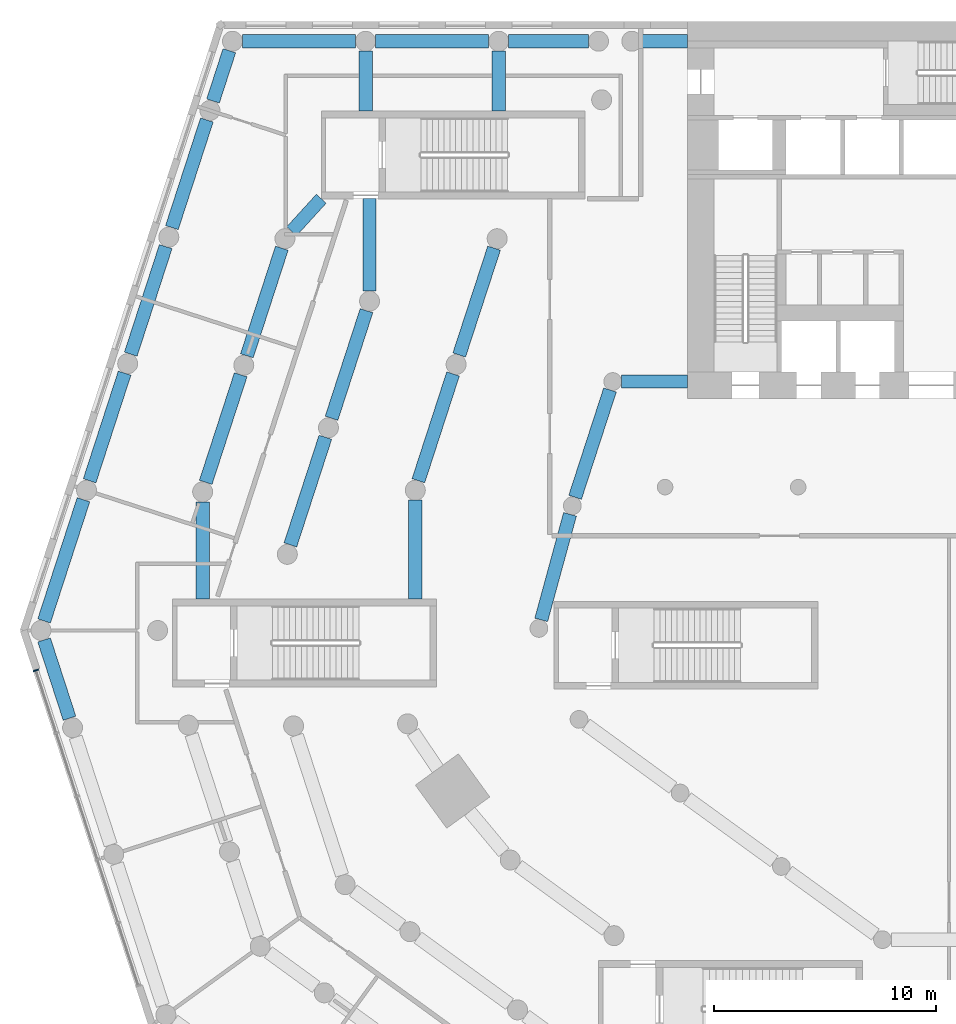
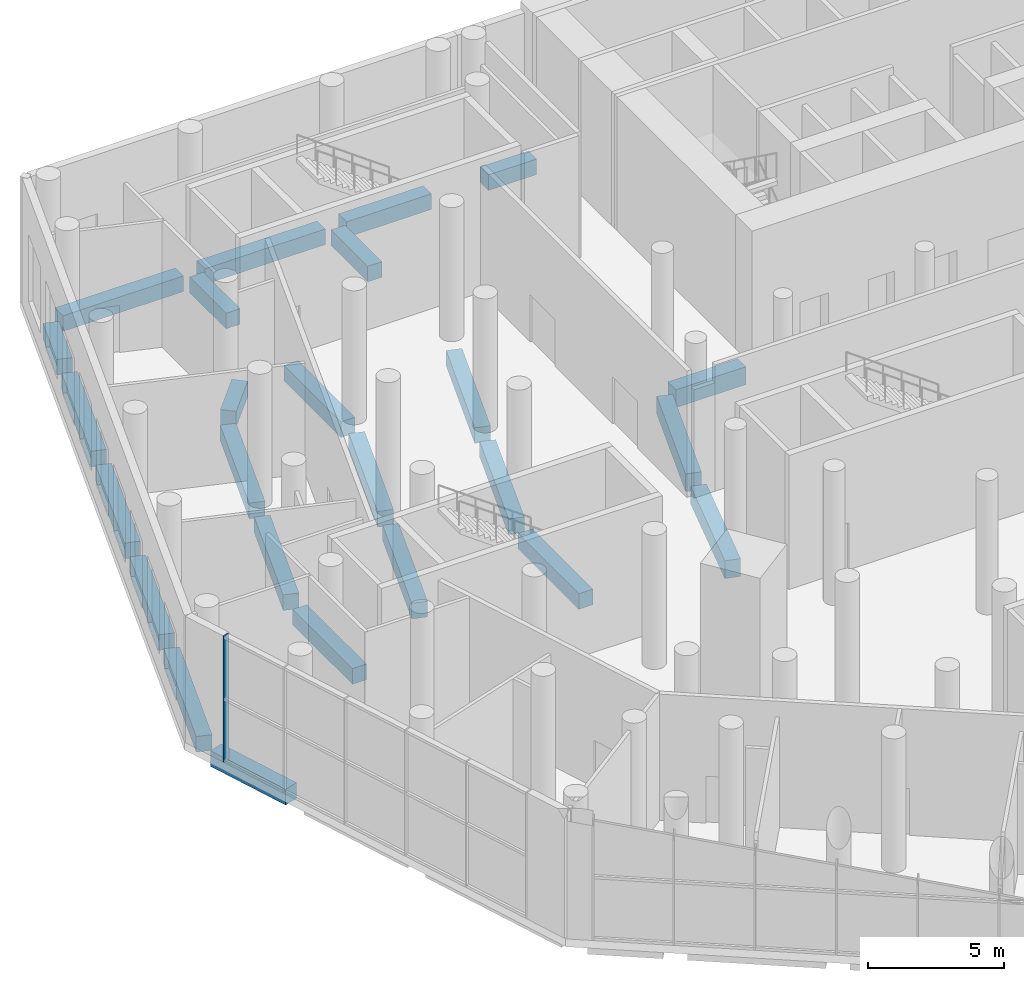
# One storey, part 6 of 23: 25 beams, 1 member, 1 element without a shape of its own.
"""IFC4 building model written with IfcOpenShell, lengths in metres."""

from ifc_helpers import new_model, si_unit, direction, frame, origin, origin_2d, place, context, subcontext, project, spatial, rectangle, extrude, material, material_profile, profile_set, type_object, element, aggregate, save


model = new_model("IFC4")

# Units and contexts
model_context = context("Model", 3, precision=1e-05, world=origin(), true_north=direction((0.0, 1.0)))
body_context = subcontext(model_context, "Body", "Model", "MODEL_VIEW")
ifc_project = project(units=[si_unit("LENGTHUNIT", "METRE"), si_unit("AREAUNIT", "SQUARE_METRE"), si_unit("VOLUMEUNIT", "CUBIC_METRE"), si_unit("PLANEANGLEUNIT", "RADIAN"), si_unit("MASSUNIT", "GRAM", prefix="KILO")], contexts=[model_context])

# Site, building, storey
site_placement = place(None, origin())
site = spatial("IfcSite", under=ifc_project, at=site_placement, CompositionType="ELEMENT")
building_placement = place(site_placement, origin())
building = spatial("IfcBuilding", under=site, at=building_placement, Name="White Candle Pilgrim Tower", CompositionType="ELEMENT")
storey_placement = place(building_placement, frame((0.0, 0.0, 9.0)))
storey = spatial("IfcBuildingStorey", under=building, at=storey_placement, Name="L01", CompositionType="ELEMENT", Elevation=9.0)

# Curtain wall, member
ifc_material_1 = material(Name="Aluminium and glass", Category="aluminium")
curtain_wall_type = type_object("IfcCurtainWallType", Name="Curtain wall CW1 hall glazing", PredefinedType="NOTDEFINED", material=ifc_material_1)
curtain_wall_placement = place(storey_placement, origin())
curtain_wall = element("IfcCurtainWall", 1, at=curtain_wall_placement, inside=storey, type_object=curtain_wall_type, Name="Curtain wall CW1 L01 W chamfer", PredefinedType="NOTDEFINED")
ifc_material_2 = material(Name="Aluminium", Category="aluminium")
ifc_material_profile_1 = material_profile(ifc_material_2, rectangle(XDim=0.25, YDim=0.06005859375, at=origin_2d()), Name="CW1 mullion 60x250")
ifc_profile_set_1 = profile_set([ifc_material_profile_1], Name="Aluminium")
member_type = type_object("IfcMemberType", Name="CW1 mullion 60x250", PredefinedType="MULLION", material=ifc_profile_set_1)
member_placement = place(storey_placement, frame((29.63623046875, 58.739501953125, 0.0), z_axis=(0.0, 0.0, 1.0), x_axis=(0.95105651629, 0.309016994392, 0.0)))
member = element("IfcMember", 2, at=member_placement, type_object=member_type, Name="CW1 mullion 1", PredefinedType="MULLION", context=body_context, shape_type="SweptSolid", body=[
    extrude(rectangle(XDim=0.25, YDim=0.06005859375, at=origin_2d()), origin(), (0.0, 0.0, 1.0), 5.64990234375),
])
aggregate(curtain_wall, [member])

# Beams
ifc_material_3 = material(Name="Concrete C50/60", Category="concrete")
ifc_material_profile_2 = material_profile(ifc_material_3, rectangle(XDim=0.60009765625, YDim=0.800048828125, at=origin_2d()), Name="RC-BM 600x800")
ifc_profile_set_2 = profile_set([ifc_material_profile_2], Name="Concrete C50/60")
beam_type_1 = type_object("IfcBeamType", Name="Ring beam RC-BM 600x800 C50/60", PredefinedType="BEAM", material=ifc_profile_set_2)
beam_1_placement = place(storey_placement, frame((56.0400390625, 71.760009765625, -0.75), z_axis=(1.0, 0.0, 0.0), x_axis=(0.0, 1.0, 0.0)))
element("IfcBeam", 3, at=beam_1_placement, inside=storey, type_object=beam_type_1, Name="L01 ring beam R11", PredefinedType="BEAM", context=body_context, shape_type="SweptSolid", body=[
    extrude(rectangle(XDim=0.60009765625, YDim=0.800048828125, at=origin_2d()), origin(), (0.0, 0.0, 1.0), 2.9599609375),
])
beam_2_placement = place(storey_placement, frame((55.516357421875, 71.379638671875, -0.75), z_axis=(-0.30907956305, -0.951036184225, 0.0), x_axis=(0.951036184225, -0.30907956305, 0.0)))
element("IfcBeam", 4, at=beam_2_placement, inside=storey, type_object=beam_type_1, Name="L01 ring beam R12", PredefinedType="BEAM", context=body_context, shape_type="SweptSolid", body=[
    extrude(rectangle(XDim=0.60009765625, YDim=0.800048828125, at=origin_2d()), origin(), (0.0, 0.0, 1.0), 5.088623046875),
])
beam_3_placement = place(storey_placement, frame((53.714599609375, 65.774169921875, -0.75), z_axis=(-0.263418939206, -0.964681534221, 0.0), x_axis=(0.964681534221, -0.263418939206, 0.0)))
element("IfcBeam", 5, at=beam_3_placement, inside=storey, type_object=beam_type_1, Name="L01 ring beam R13", PredefinedType="BEAM", context=body_context, shape_type="SweptSolid", body=[
    extrude(rectangle(XDim=0.60009765625, YDim=0.800048828125, at=origin_2d()), origin(), (0.0, 0.0, 1.0), 4.9326171875),
])
ifc_material_profile_3 = material_profile(ifc_material_3, rectangle(XDim=0.60009765625, YDim=0.699951171875, at=origin_2d()), Name="RC-BM 600x700")
ifc_profile_set_3 = profile_set([ifc_material_profile_3], Name="Concrete C50/60")
beam_type_2 = type_object("IfcBeamType", Name="Spandrel beam RC-BM 600x700 C50/60", PredefinedType="BEAM", material=ifc_profile_set_3)
beam_4_placement = place(storey_placement, frame((50.29052734375, 77.772216796875, -0.699951171875), z_axis=(-0.310219521213, -0.950664950789, 0.0), x_axis=(0.950664950789, -0.310219521213, 0.0)))
element("IfcBeam", 6, at=beam_4_placement, inside=storey, type_object=beam_type_2, Name="L01 spandrel beam T11", PredefinedType="BEAM", context=body_context, shape_type="SweptSolid", body=[
    extrude(rectangle(XDim=0.60009765625, YDim=0.699951171875, at=origin_2d()), origin(), (0.0, 0.0, 1.0), 5.064208984375),
])
beam_5_placement = place(storey_placement, frame((48.441162109375, 72.10205078125, -0.699951171875), z_axis=(-0.308663940381, -0.951171158051, 0.0), x_axis=(0.951171158051, -0.308663940381, 0.0)))
element("IfcBeam", 7, at=beam_5_placement, inside=storey, type_object=beam_type_2, Name="L01 spandrel beam T12", PredefinedType="BEAM", context=body_context, shape_type="SweptSolid", body=[
    extrude(rectangle(XDim=0.60009765625, YDim=0.699951171875, at=origin_2d()), origin(), (0.0, 0.0, 1.0), 5.061279296875),
])
beam_6_placement = place(storey_placement, frame((46.739990234375, 66.409912109375, -0.699951171875), z_axis=(0.0, -1.0, 0.0), x_axis=(1.0, 0.0, 0.0)))
element("IfcBeam", 8, at=beam_6_placement, inside=storey, type_object=beam_type_2, Name="L01 spandrel beam T13", PredefinedType="BEAM", context=body_context, shape_type="SweptSolid", body=[
    extrude(rectangle(XDim=0.60009765625, YDim=0.699951171875, at=origin_2d()), origin(), (0.0, 0.0, 1.0), 4.4599609375),
])
beam_7_placement = place(storey_placement, frame((30.0048828125, 60.111083984375, -0.699951171875), z_axis=(0.30913367371, -0.951018596968, 0.0), x_axis=(0.951018596968, 0.30913367371, 0.0)))
element("IfcBeam", 9, at=beam_7_placement, inside=storey, type_object=beam_type_2, Name="L01 spandrel beam A01", PredefinedType="BEAM", context=body_context, shape_type="SweptSolid", body=[
    extrude(rectangle(XDim=0.60009765625, YDim=0.699951171875, at=origin_2d()), origin(), (0.0, 0.0, 1.0), 3.711181640625),
])
beam_8_placement = place(storey_placement, frame((38.35693359375, 86.672119140625, -0.699951171875), z_axis=(-0.30881036508, -0.951123629408, 0.0), x_axis=(0.951123629408, -0.30881036508, 0.0)))
element("IfcBeam", 10, at=beam_8_placement, inside=storey, type_object=beam_type_2, Name="L01 spandrel beam A27", PredefinedType="BEAM", context=body_context, shape_type="SweptSolid", body=[
    extrude(rectangle(XDim=0.60009765625, YDim=0.699951171875, at=origin_2d()), origin(), (0.0, 0.0, 1.0), 2.3828125),
])
beam_9_placement = place(storey_placement, frame((37.343017578125, 83.55029296875, -0.699951171875), z_axis=(-0.30893888911, -0.951081890688, 0.0), x_axis=(0.951081890688, -0.30893888911, 0.0)))
element("IfcBeam", 11, at=beam_9_placement, inside=storey, type_object=beam_type_2, Name="L01 spandrel beam A28", PredefinedType="BEAM", context=body_context, shape_type="SweptSolid", body=[
    extrude(rectangle(XDim=0.60009765625, YDim=0.699951171875, at=origin_2d()), origin(), (0.0, 0.0, 1.0), 5.10107421875),
])
for number, where, z_axis, x_axis, name in (
    (12, (35.489013671875, 77.84326171875, -0.699951171875), (-0.309009217467, -0.951059043131, 0.0), (0.951059043131, -0.309009217467, 0.0), "L01 spandrel beam A29"),
    (13, (33.635009765625, 72.13720703125, -0.699951171875), (-0.309009217467, -0.951059043131, 0.0), (0.951059043131, -0.309009217467, 0.0), "L01 spandrel beam A30"),
):
    element("IfcBeam", number, at=place(storey_placement, frame(where, z_axis=z_axis, x_axis=x_axis)), inside=storey, type_object=beam_type_2, Name=name, PredefinedType="BEAM", context=body_context, shape_type="SweptSolid", body=[
        extrude(rectangle(XDim=0.60009765625, YDim=0.699951171875, at=origin_2d()), origin(), (0.0, 0.0, 1.0), 5.099853515625),
    ])
beam_10_placement = place(storey_placement, frame((31.781005859375, 66.43115234375, -0.699951171875), z_axis=(-0.309118738716, -0.951023451538, 0.0), x_axis=(0.951023451538, -0.309118738716, 0.0)))
element("IfcBeam", 14, at=beam_10_placement, inside=storey, type_object=beam_type_2, Name="L01 spandrel beam A31", PredefinedType="BEAM", context=body_context, shape_type="SweptSolid", body=[
    extrude(rectangle(XDim=0.60009765625, YDim=0.699951171875, at=origin_2d()), origin(), (0.0, 0.0, 1.0), 5.745849609375),
])
beam_11_placement = place(storey_placement, frame((44.5, 86.64990234375, -0.699951171875), z_axis=(0.0, -1.0, 0.0), x_axis=(1.0, 0.0, 0.0)))
element("IfcBeam", 15, at=beam_11_placement, inside=storey, type_object=beam_type_2, Name="L01 spandrel beam B23", PredefinedType="BEAM", context=body_context, shape_type="SweptSolid", body=[
    extrude(rectangle(XDim=0.60009765625, YDim=0.699951171875, at=origin_2d()), origin(), (0.0, 0.0, 1.0), 2.699951171875),
])
beam_12_placement = place(storey_placement, frame((41.16455078125, 78.53173828125, -0.699951171875), z_axis=(0.67285645111, 0.739773070745, 0.0), x_axis=(-0.739773070745, 0.67285645111, 0.0)))
element("IfcBeam", 16, at=beam_12_placement, inside=storey, type_object=beam_type_2, Name="L01 spandrel beam B24", PredefinedType="BEAM", context=body_context, shape_type="SweptSolid", body=[
    extrude(rectangle(XDim=0.60009765625, YDim=0.699951171875, at=origin_2d()), origin(), (0.0, 0.0, 1.0), 1.98486328125),
])
beam_13_placement = place(storey_placement, frame((40.722900390625, 77.771240234375, -0.699951171875), z_axis=(-0.309009217467, -0.951059043131, 0.0), x_axis=(0.951059043131, -0.309009217467, 0.0)))
element("IfcBeam", 17, at=beam_13_placement, inside=storey, type_object=beam_type_2, Name="L01 spandrel beam B25", PredefinedType="BEAM", context=body_context, shape_type="SweptSolid", body=[
    extrude(rectangle(XDim=0.60009765625, YDim=0.699951171875, at=origin_2d()), origin(), (0.0, 0.0, 1.0), 5.099853515625),
])
beam_14_placement = place(storey_placement, frame((38.868896484375, 72.065185546875, -0.699951171875), z_axis=(-0.30918240299, -0.951002755875, 0.0), x_axis=(0.951002755875, -0.30918240299, 0.0)))
element("IfcBeam", 18, at=beam_14_placement, inside=storey, type_object=beam_type_2, Name="L01 spandrel beam B26", PredefinedType="BEAM", context=body_context, shape_type="SweptSolid", body=[
    extrude(rectangle(XDim=0.60009765625, YDim=0.699951171875, at=origin_2d()), origin(), (0.0, 0.0, 1.0), 5.100341796875),
])
beam_15_placement = place(storey_placement, frame((37.153076171875, 66.3369140625, -0.699951171875), z_axis=(0.0, -1.0, 0.0), x_axis=(1.0, 0.0, 0.0)))
element("IfcBeam", 19, at=beam_15_placement, inside=storey, type_object=beam_type_2, Name="L01 spandrel beam B27", PredefinedType="BEAM", context=body_context, shape_type="SweptSolid", body=[
    extrude(rectangle(XDim=0.60009765625, YDim=0.699951171875, at=origin_2d()), origin(), (0.0, 0.0, 1.0), 4.386962890625),
])
beam_16_placement = place(storey_placement, frame((50.5, 86.64990234375, -0.699951171875), z_axis=(0.0, -1.0, 0.0), x_axis=(1.0, 0.0, 0.0)))
element("IfcBeam", 20, at=beam_16_placement, inside=storey, type_object=beam_type_2, Name="L01 spandrel beam C20", PredefinedType="BEAM", context=body_context, shape_type="SweptSolid", body=[
    extrude(rectangle(XDim=0.60009765625, YDim=0.699951171875, at=origin_2d()), origin(), (0.0, 0.0, 1.0), 2.699951171875),
])
beam_17_placement = place(storey_placement, frame((44.677978515625, 75.83203125, -0.699951171875), z_axis=(0.0, 1.0, 0.0), x_axis=(-1.0, 0.0, 0.0)))
element("IfcBeam", 21, at=beam_17_placement, inside=storey, type_object=beam_type_2, Name="L01 spandrel beam C21", PredefinedType="BEAM", context=body_context, shape_type="SweptSolid", body=[
    extrude(rectangle(XDim=0.60009765625, YDim=0.699951171875, at=origin_2d()), origin(), (0.0, 0.0, 1.0), 4.16796875),
])
beam_18_placement = place(storey_placement, frame((44.5390625, 74.9541015625, -0.699951171875), z_axis=(-0.30905251673, -0.951044973649, 0.0), x_axis=(0.951044973649, -0.30905251673, 0.0)))
element("IfcBeam", 22, at=beam_18_placement, inside=storey, type_object=beam_type_2, Name="L01 spandrel beam C22", PredefinedType="BEAM", context=body_context, shape_type="SweptSolid", body=[
    extrude(rectangle(XDim=0.60009765625, YDim=0.699951171875, at=origin_2d()), origin(), (0.0, 0.0, 1.0), 5.10009765625),
])
beam_19_placement = place(storey_placement, frame((42.68505859375, 69.248291015625, -0.699951171875), z_axis=(-0.308982180599, -0.951067827272, 0.0), x_axis=(0.951067827272, -0.308982180599, 0.0)))
element("IfcBeam", 23, at=beam_19_placement, inside=storey, type_object=beam_type_2, Name="L01 spandrel beam C23", PredefinedType="BEAM", context=body_context, shape_type="SweptSolid", body=[
    extrude(rectangle(XDim=0.60009765625, YDim=0.699951171875, at=origin_2d()), origin(), (0.0, 0.0, 1.0), 5.10107421875),
])
beam_20_placement = place(storey_placement, frame((38.946044921875, 87.10009765625, -0.699951171875), z_axis=(1.0, 0.0, 0.0), x_axis=(0.0, 1.0, 0.0)))
element("IfcBeam", 24, at=beam_20_placement, inside=storey, type_object=beam_type_2, Name="L01 spandrel beam N01", PredefinedType="BEAM", context=body_context, shape_type="SweptSolid", body=[
    extrude(rectangle(XDim=0.60009765625, YDim=0.699951171875, at=origin_2d()), origin(), (0.0, 0.0, 1.0), 5.10400390625),
])
beam_21_placement = place(storey_placement, frame((44.949951171875, 87.10009765625, -0.699951171875), z_axis=(1.0, 0.0, 0.0), x_axis=(0.0, 1.0, 0.0)))
element("IfcBeam", 25, at=beam_21_placement, inside=storey, type_object=beam_type_2, Name="L01 spandrel beam N02", PredefinedType="BEAM", context=body_context, shape_type="SweptSolid", body=[
    extrude(rectangle(XDim=0.60009765625, YDim=0.699951171875, at=origin_2d()), origin(), (0.0, 0.0, 1.0), 5.10009765625),
])
beam_22_placement = place(storey_placement, frame((50.949951171875, 87.10009765625, -0.699951171875), z_axis=(1.0, 0.0, 0.0), x_axis=(0.0, 1.0, 0.0)))
element("IfcBeam", 26, at=beam_22_placement, inside=storey, type_object=beam_type_2, Name="L01 spandrel beam N03", PredefinedType="BEAM", context=body_context, shape_type="SweptSolid", body=[
    extrude(rectangle(XDim=0.60009765625, YDim=0.699951171875, at=origin_2d()), origin(), (0.0, 0.0, 1.0), 3.60009765625),
])
beam_23_placement = place(storey_placement, frame((56.949951171875, 87.10009765625, -0.699951171875), z_axis=(1.0, 0.0, 0.0), x_axis=(0.0, 1.0, 0.0)))
element("IfcBeam", 27, at=beam_23_placement, inside=storey, type_object=beam_type_2, Name="L01 spandrel beam N04", PredefinedType="BEAM", context=body_context, shape_type="SweptSolid", body=[
    extrude(rectangle(XDim=0.60009765625, YDim=0.699951171875, at=origin_2d()), origin(), (0.0, 0.0, 1.0), 2.050048828125),
])

save(model, "model.ifc")
